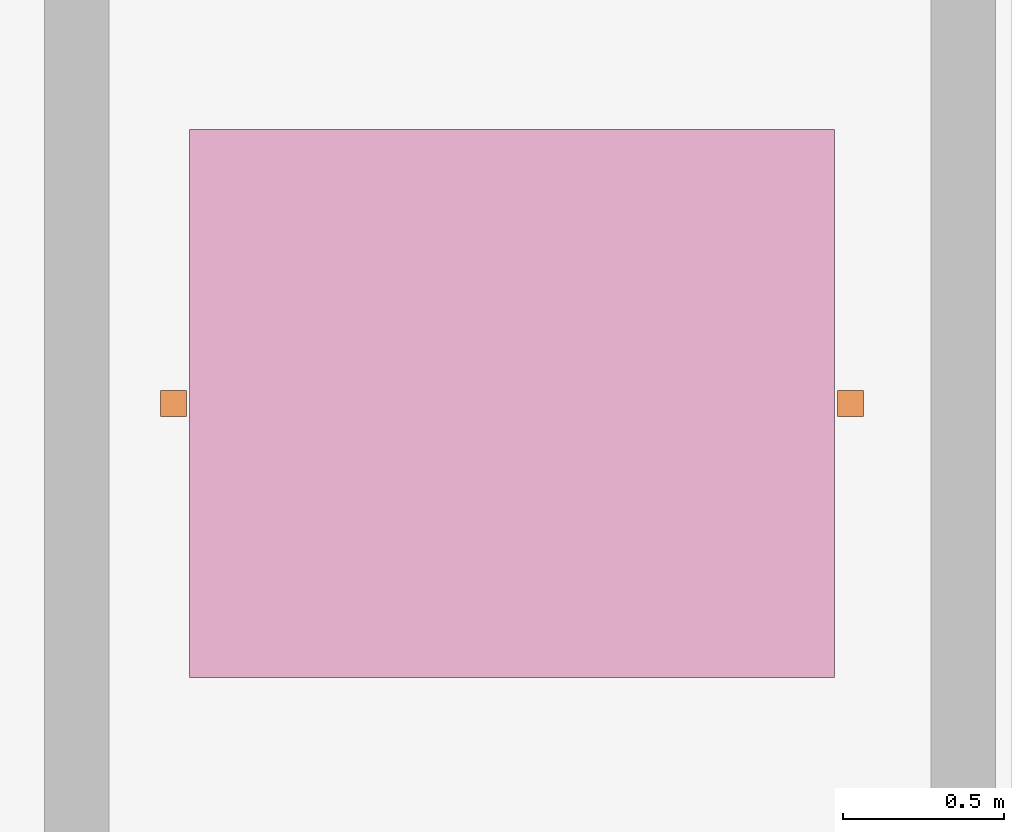
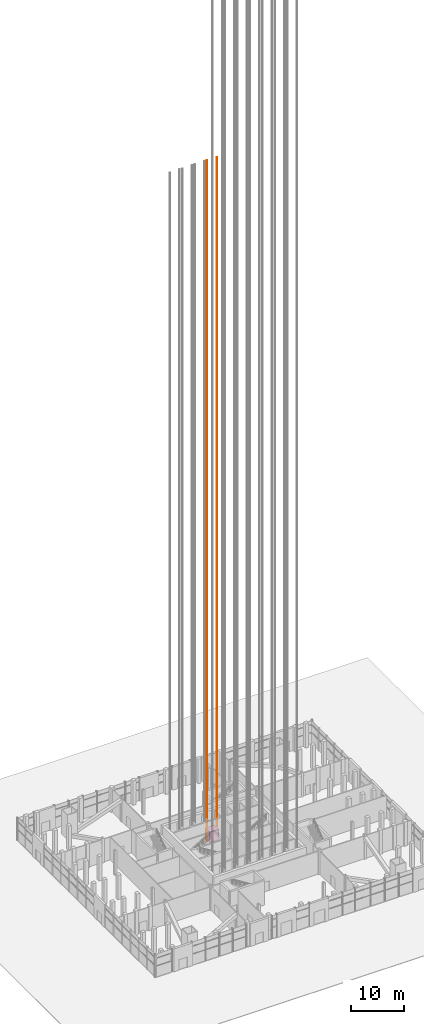
# One storey, part 27 of 27: 2 proxies, 1 transport element.
"""IFC4 building model written with IfcOpenShell, lengths in metres."""

from ifc_helpers import new_model, si_unit, direction, frame, origin, origin_2d, place, context, subcontext, project, spatial, rectangle, extrude, material, type_object, element, aggregate, save


model = new_model("IFC4")

# Units and contexts
model_context = context("Model", 3, precision=1e-05, world=origin(), true_north=direction((0.0, 1.0)))
body_context = subcontext(model_context, "Body", "Model", "MODEL_VIEW")
ifc_project = project(units=[si_unit("LENGTHUNIT", "METRE"), si_unit("AREAUNIT", "SQUARE_METRE"), si_unit("VOLUMEUNIT", "CUBIC_METRE"), si_unit("PLANEANGLEUNIT", "RADIAN"), si_unit("MASSUNIT", "GRAM", prefix="KILO")], contexts=[model_context])

# Site, building, storey
site_placement = place(None, origin())
site = spatial("IfcSite", under=ifc_project, at=site_placement, CompositionType="ELEMENT")
building_placement = place(site_placement, origin())
building = spatial("IfcBuilding", under=site, at=building_placement, Name="Turquesa Mirador Hotel Tower", CompositionType="ELEMENT")
storey_placement = place(building_placement, origin())
storey = spatial("IfcBuildingStorey", under=building, at=storey_placement, Name="L00", CompositionType="ELEMENT", Elevation=0.0)

# Transport element, proxies
ifc_material_1 = material(Name="Stainless steel lift car", Category="steel")
transport_element_type = type_object("IfcTransportElementType", Name="PASSENGER LIFT 1600 KG", PredefinedType="ELEVATOR", material=ifc_material_1)
transport_element_placement = place(storey_placement, frame((54.949951171875, 53.050048828125, 0.0), z_axis=(0.0, 0.0, 1.0), x_axis=(1.0, 0.0, 0.0)))
transport_element = element("IfcTransportElement", 1, at=transport_element_placement, inside=storey, type_object=transport_element_type, Name="Lift A4", PredefinedType="ELEVATOR", context=body_context, shape_type="SweptSolid", body=[
    extrude(rectangle(XDim=2.0, YDim=1.699951171875, at=origin_2d()), origin(), (0.0, 0.0, 1.0), 2.39990234375),
])
ifc_material_2 = material(Name="Steel ASTM A992 Grade 50", Category="steel")
building_element_proxy_type = type_object("IfcBuildingElementProxyType", Name="LIFT GUIDE RAIL 80X80", PredefinedType="USERDEFINED", material=ifc_material_2)
proxy_1_placement = place(storey_placement, frame((53.89990234375, 53.050048828125, 0.0), z_axis=(0.0, 0.0, 1.0), x_axis=(1.0, 0.0, 0.0)))
proxy_1 = element("IfcBuildingElementProxy", 2, at=proxy_1_placement, type_object=building_element_proxy_type, Name="Lift A4 guide rail 1", ObjectType="LIFT GUIDE RAIL", PredefinedType="USERDEFINED", context=body_context, shape_type="SweptSolid", body=[
    extrude(rectangle(XDim=0.080078125, YDim=0.080078125, at=origin_2d()), origin(), (0.0, 0.0, 1.0), 156.1201171875),
])
proxy_2_placement = place(storey_placement, frame((56.0, 53.050048828125, 0.0), z_axis=(0.0, 0.0, 1.0), x_axis=(1.0, 0.0, 0.0)))
proxy_2 = element("IfcBuildingElementProxy", 3, at=proxy_2_placement, type_object=building_element_proxy_type, Name="Lift A4 guide rail 2", ObjectType="LIFT GUIDE RAIL", PredefinedType="USERDEFINED", context=body_context, shape_type="SweptSolid", body=[
    extrude(rectangle(XDim=0.080078125, YDim=0.080078125, at=origin_2d()), origin(), (0.0, 0.0, 1.0), 156.1201171875),
])
aggregate(transport_element, [proxy_1, proxy_2])

save(model, "model.ifc")
